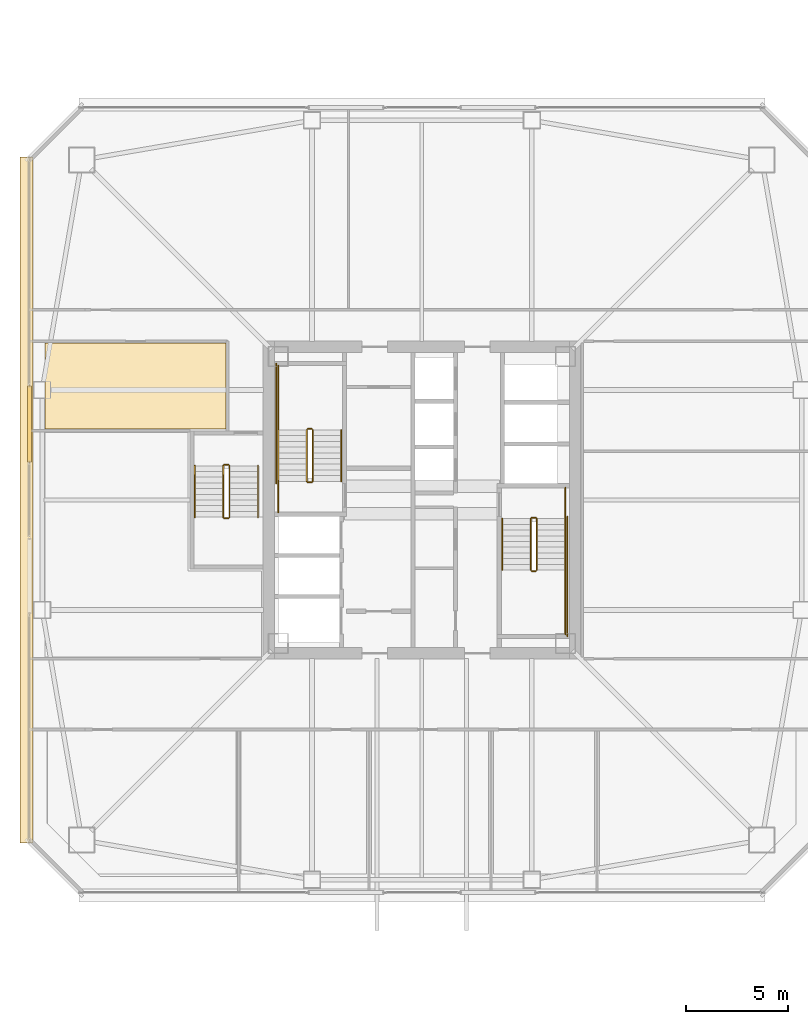
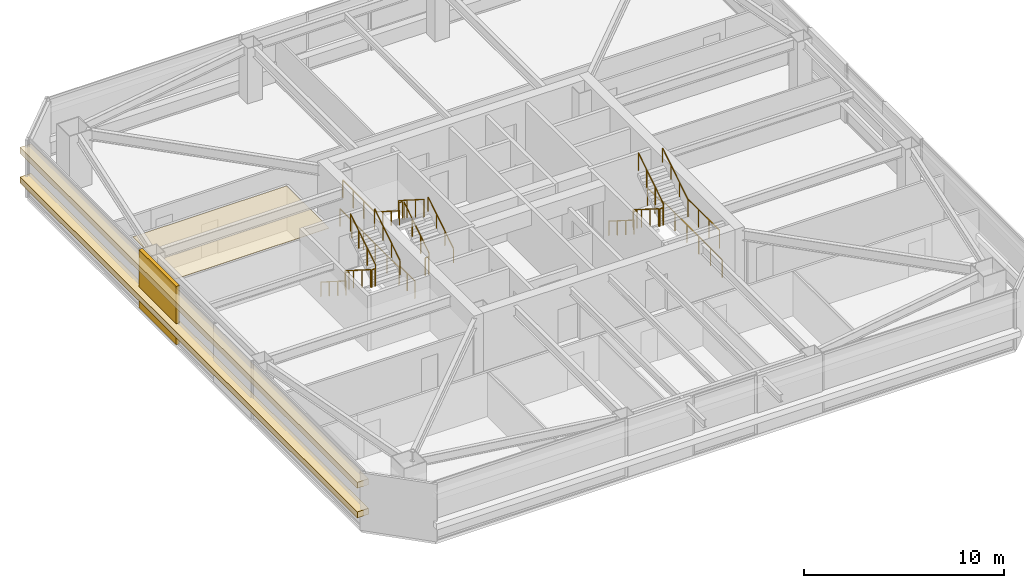
# One storey, part 38 of 42: 24 railings, 4 coverings.
"""IFC4 building model written with IfcOpenShell, lengths in metres."""

from ifc_helpers import new_model, si_unit, direction, frame, origin, origin_2d, place, context, subcontext, project, spatial, polyline, rectangle, outline, extrude, material, layer, layer_set, type_object, element, save


model = new_model("IFC4")

# Units and contexts
model_context = context("Model", 3, precision=1e-05, world=origin(), true_north=direction((0.0, 1.0)))
body_context = subcontext(model_context, "Body", "Model", "MODEL_VIEW")
ifc_project = project(units=[si_unit("LENGTHUNIT", "METRE"), si_unit("AREAUNIT", "SQUARE_METRE"), si_unit("VOLUMEUNIT", "CUBIC_METRE"), si_unit("PLANEANGLEUNIT", "RADIAN"), si_unit("MASSUNIT", "GRAM", prefix="KILO")], contexts=[model_context])

# Site, building, storey
site_placement = place(None, origin())
site = spatial("IfcSite", under=ifc_project, at=site_placement, CompositionType="ELEMENT")
building_placement = place(site_placement, origin())
building = spatial("IfcBuilding", under=site, at=building_placement, Name="Tashvorn Skyway Center", CompositionType="ELEMENT")
storey_placement = place(building_placement, frame((0.0, 0.0, 121.5)))
storey = spatial("IfcBuildingStorey", under=building, at=storey_placement, Name="L32", CompositionType="ELEMENT", Elevation=121.5)

# Coverings
ifc_material_1 = material(Name="Precast concrete C40/50", Category="concrete")
ifc_layer_1 = layer(ifc_material_1, 0.199951171875)
ifc_layer_set_1 = layer_set([ifc_layer_1], Name="Precast concrete C40/50")
covering_type_1 = type_object("IfcCoveringType", Name="COV-BRACE-CLAD", PredefinedType="CLADDING", material=ifc_layer_set_1)
covering_1_placement = place(storey_placement, frame((22.719970703125, 35.728759765625, 0.0), z_axis=(0.0, 0.0, 1.0), x_axis=(0.0, 1.0, 0.0)))
element("IfcCovering", 1, at=covering_1_placement, inside=storey, type_object=covering_type_1, Name="Tower 1 L32 West Unitised Curtain Wall Mega-Brace Cladding Band 2", PredefinedType="CLADDING", context=body_context, shape_type="SweptSolid", body=[
    extrude(rectangle(XDim=3.72900390625, YDim=0.199951171875, at=origin_2d()), origin(), (0.0, 0.0, 1.0), 3.550048828125),
])
ifc_material_2 = material(Name="Mineral-fibre acoustic ceiling tile on suspended grid")
ifc_layer_2 = layer(ifc_material_2, 0.02001953125)
ifc_layer_set_2 = layer_set([ifc_layer_2], Name="Mineral-fibre acoustic ceiling tile on suspended grid")
covering_type_2 = type_object("IfcCoveringType", Name="COV-CEIL-20", PredefinedType="CEILING", material=ifc_layer_set_2)
covering_2_placement = place(storey_placement, frame((0.0, 0.0, 2.702880859375)))
element("IfcCovering", 2, at=covering_2_placement, inside=storey, type_object=covering_type_2, Name="Tower 1 L32 Reading Lounge Acoustic Ceiling", PredefinedType="CEILING", context=body_context, shape_type="SweptSolid", body=[
    extrude(outline(polyline([(32.3701171875, 39.719970703125), (32.3701171875, 35.47998046875), (23.5, 35.47998046875), (23.5, 39.719970703125), (32.3701171875, 39.719970703125)])), origin(), (0.0, 0.0, 1.0), 0.02001953125),
])
ifc_material_3 = material(Name="Perforated ceramic-coated bronze aluminium solar screen", Category="aluminium")
ifc_layer_3 = layer(ifc_material_3, 0.85009765625)
ifc_layer_set_3 = layer_set([ifc_layer_3], Name="Perforated ceramic-coated bronze aluminium solar screen")
covering_type_3 = type_object("IfcCoveringType", Name="COV-SOLAR-BAND", PredefinedType="CLADDING", material=ifc_layer_set_3)
for number, where, z_axis, x_axis, name in (
    (3, (22.580078125, 32.0, 0.919921875), (0.0, 0.0, 1.0), (0.0, 1.0, 0.0), "L32 Perforated Ceramic-Metal Solar Screen Louvre Band West 1"),
    (4, (22.580078125, 32.0, 2.7197265625), (0.0, 0.0, 1.0), (0.0, 1.0, 0.0), "L32 Perforated Ceramic-Metal Solar Screen Louvre Band West 2"),
):
    element("IfcCovering", number, at=place(storey_placement, frame(where, z_axis=z_axis, x_axis=x_axis)), inside=storey, type_object=covering_type_3, Name=name, PredefinedType="CLADDING", context=body_context, shape_type="SweptSolid", body=[
        extrude(rectangle(XDim=33.679931640625, YDim=0.639892578125, at=origin_2d()), origin(), (0.0, 0.0, 1.0), 0.360107421875),
    ])

# Railings
ifc_material_4 = material(Name="Brushed stainless steel 316", Category="steel")
railing_type_1 = type_object("IfcRailingType", Name="RAIL-HAND-920", PredefinedType="HANDRAIL", material=ifc_material_4)
railing_1_placement = place(storey_placement, frame((38.050048828125, 32.919921875, 0.177490234375)))
element("IfcRailing", 5, at=railing_1_placement, inside=storey, type_object=railing_type_1, Name="L32 ST-T1-1 stair handrail 1", PredefinedType="HANDRAIL", context=body_context, shape_type="SweptSolid", body=[
    extrude(rectangle(XDim=0.048095703125, YDim=0.048095703125, at=origin_2d()), frame((0.0, 0.0, 0.8759765625), z_axis=(0.0, 0.84460694969, 0.535386869969), x_axis=(-1.0, 0.0, 0.0)), (0.0, 0.0, 1.0), 2.983642578125),
    extrude(rectangle(XDim=0.0419921875, YDim=0.0419921875, at=origin_2d()), origin(), (0.0, 0.0, 1.0), 0.851806640625),
    extrude(rectangle(XDim=0.0419921875, YDim=0.0419921875, at=origin_2d()), frame((0.0, 0.840087890625, 0.532470703125)), (0.0, 0.0, 1.0), 0.851806640625),
    extrude(rectangle(XDim=0.0419921875, YDim=0.0419921875, at=origin_2d()), frame((0.0, 1.679931640625, 1.06494140625)), (0.0, 0.0, 1.0), 0.851806640625),
    extrude(rectangle(XDim=0.0419921875, YDim=0.0419921875, at=origin_2d()), frame((0.0, 2.52001953125, 1.597412109375)), (0.0, 0.0, 1.0), 0.851806640625),
])
railing_2_placement = place(storey_placement, frame((34.949951171875, 35.43994140625, 1.952392578125)))
element("IfcRailing", 6, at=railing_2_placement, inside=storey, type_object=railing_type_1, Name="L32 ST-T1-1 stair handrail 2", PredefinedType="HANDRAIL", context=body_context, shape_type="SweptSolid", body=[
    extrude(rectangle(XDim=0.048095703125, YDim=0.048095703125, at=origin_2d()), frame((0.0, 0.0, 0.8759765625), z_axis=(0.0, -0.84456994832, 0.535445237532), x_axis=(1.0, 0.0, 0.0)), (0.0, 0.0, 1.0), 2.98388671875),
    extrude(rectangle(XDim=0.0419921875, YDim=0.0419921875, at=origin_2d()), origin(), (0.0, 0.0, 1.0), 0.851806640625),
    extrude(rectangle(XDim=0.0419921875, YDim=0.0419921875, at=origin_2d()), frame((0.0, -0.840087890625, 0.532470703125)), (0.0, 0.0, 1.0), 0.851806640625),
    extrude(rectangle(XDim=0.0419921875, YDim=0.0419921875, at=origin_2d()), frame((0.0, -1.679931640625, 1.065185546875)), (0.0, 0.0, 1.0), 0.851806640625),
    extrude(rectangle(XDim=0.0419921875, YDim=0.0419921875, at=origin_2d()), frame((0.0, -2.52001953125, 1.59765625)), (0.0, 0.0, 1.0), 0.851806640625),
])
railing_3_placement = place(storey_placement, frame((45.949951171875, 31.080078125, 0.177490234375)))
element("IfcRailing", 7, at=railing_3_placement, inside=storey, type_object=railing_type_1, Name="L32 ST-T1-2 stair handrail 1", PredefinedType="HANDRAIL", context=body_context, shape_type="SweptSolid", body=[
    extrude(rectangle(XDim=0.048095703125, YDim=0.048095703125, at=origin_2d()), frame((0.0, 0.0, 0.8759765625), z_axis=(0.0, -0.84460694969, 0.535386869969), x_axis=(1.0, 0.0, 0.0)), (0.0, 0.0, 1.0), 2.983642578125),
    extrude(rectangle(XDim=0.0419921875, YDim=0.0419921875, at=origin_2d()), origin(), (0.0, 0.0, 1.0), 0.851806640625),
    extrude(rectangle(XDim=0.0419921875, YDim=0.0419921875, at=origin_2d()), frame((0.0, -0.840087890625, 0.532470703125)), (0.0, 0.0, 1.0), 0.851806640625),
    extrude(rectangle(XDim=0.0419921875, YDim=0.0419921875, at=origin_2d()), frame((0.0, -1.679931640625, 1.06494140625)), (0.0, 0.0, 1.0), 0.851806640625),
    extrude(rectangle(XDim=0.0419921875, YDim=0.0419921875, at=origin_2d()), frame((0.0, -2.52001953125, 1.597412109375)), (0.0, 0.0, 1.0), 0.851806640625),
])
railing_4_placement = place(storey_placement, frame((49.050048828125, 28.56005859375, 1.952392578125)))
element("IfcRailing", 8, at=railing_4_placement, inside=storey, type_object=railing_type_1, Name="L32 ST-T1-2 stair handrail 2", PredefinedType="HANDRAIL", context=body_context, shape_type="SweptSolid", body=[
    extrude(rectangle(XDim=0.048095703125, YDim=0.048095703125, at=origin_2d()), frame((0.0, 0.0, 0.8759765625), z_axis=(0.0, 0.84456994832, 0.535445237532), x_axis=(-1.0, 0.0, 0.0)), (0.0, 0.0, 1.0), 2.98388671875),
    extrude(rectangle(XDim=0.0419921875, YDim=0.0419921875, at=origin_2d()), origin(), (0.0, 0.0, 1.0), 0.851806640625),
    extrude(rectangle(XDim=0.0419921875, YDim=0.0419921875, at=origin_2d()), frame((0.0, 0.840087890625, 0.532470703125)), (0.0, 0.0, 1.0), 0.851806640625),
    extrude(rectangle(XDim=0.0419921875, YDim=0.0419921875, at=origin_2d()), frame((0.0, 1.679931640625, 1.065185546875)), (0.0, 0.0, 1.0), 0.851806640625),
    extrude(rectangle(XDim=0.0419921875, YDim=0.0419921875, at=origin_2d()), frame((0.0, 2.52001953125, 1.59765625)), (0.0, 0.0, 1.0), 0.851806640625),
])
railing_5_placement = place(storey_placement, frame((30.85009765625, 33.679931640625, 0.177490234375)))
element("IfcRailing", 9, at=railing_5_placement, inside=storey, type_object=railing_type_1, Name="L32 ST-T1-3 stair handrail 1", PredefinedType="HANDRAIL", context=body_context, shape_type="SweptSolid", body=[
    extrude(rectangle(XDim=0.048095703125, YDim=0.048095703125, at=origin_2d()), frame((0.0, 0.0, 0.8759765625), z_axis=(0.0, -0.84460694969, 0.535386869969), x_axis=(1.0, 0.0, 0.0)), (0.0, 0.0, 1.0), 2.983642578125),
    extrude(rectangle(XDim=0.0419921875, YDim=0.0419921875, at=origin_2d()), origin(), (0.0, 0.0, 1.0), 0.851806640625),
    extrude(rectangle(XDim=0.0419921875, YDim=0.0419921875, at=origin_2d()), frame((0.0, -0.840087890625, 0.532470703125)), (0.0, 0.0, 1.0), 0.851806640625),
    extrude(rectangle(XDim=0.0419921875, YDim=0.0419921875, at=origin_2d()), frame((0.0, -1.679931640625, 1.06494140625)), (0.0, 0.0, 1.0), 0.851806640625),
    extrude(rectangle(XDim=0.0419921875, YDim=0.0419921875, at=origin_2d()), frame((0.0, -2.52001953125, 1.597412109375)), (0.0, 0.0, 1.0), 0.851806640625),
])
railing_6_placement = place(storey_placement, frame((33.949951171875, 31.159912109375, 1.952392578125)))
element("IfcRailing", 10, at=railing_6_placement, inside=storey, type_object=railing_type_1, Name="L32 ST-T1-3 stair handrail 2", PredefinedType="HANDRAIL", context=body_context, shape_type="SweptSolid", body=[
    extrude(rectangle(XDim=0.048095703125, YDim=0.048095703125, at=origin_2d()), frame((0.0, 0.0, 0.8759765625), z_axis=(0.0, 0.84456994832, 0.535445237532), x_axis=(-1.0, 0.0, 0.0)), (0.0, 0.0, 1.0), 2.98388671875),
    extrude(rectangle(XDim=0.0419921875, YDim=0.0419921875, at=origin_2d()), origin(), (0.0, 0.0, 1.0), 0.851806640625),
    extrude(rectangle(XDim=0.0419921875, YDim=0.0419921875, at=origin_2d()), frame((0.0, 0.840087890625, 0.532470703125)), (0.0, 0.0, 1.0), 0.851806640625),
    extrude(rectangle(XDim=0.0419921875, YDim=0.0419921875, at=origin_2d()), frame((0.0, 1.679931640625, 1.065185546875)), (0.0, 0.0, 1.0), 0.851806640625),
    extrude(rectangle(XDim=0.0419921875, YDim=0.0419921875, at=origin_2d()), frame((0.0, 2.52001953125, 1.59765625)), (0.0, 0.0, 1.0), 0.851806640625),
])
ifc_material_5 = material(Name="Painted galvanized steel S355", Category="steel")
railing_type_2 = type_object("IfcRailingType", Name="RAIL-STGUARD-1100", PredefinedType="GUARDRAIL", material=ifc_material_5)
railing_7_placement = place(storey_placement, frame((36.64990234375, 32.919921875, 0.177490234375)))
element("IfcRailing", 11, at=railing_7_placement, inside=storey, type_object=railing_type_2, Name="L32 ST-T1-1 stair guard 1", PredefinedType="GUARDRAIL", context=body_context, shape_type="SweptSolid", body=[
    extrude(rectangle(XDim=0.048095703125, YDim=0.048095703125, at=origin_2d()), frame((0.0, 0.0, 1.076171875), z_axis=(0.0, 0.84460694969, 0.535386869969), x_axis=(-1.0, 0.0, 0.0)), (0.0, 0.0, 1.0), 2.983642578125),
    extrude(rectangle(XDim=0.0419921875, YDim=0.0419921875, at=origin_2d()), origin(), (0.0, 0.0, 1.0), 1.052001953125),
    extrude(rectangle(XDim=0.0419921875, YDim=0.0419921875, at=origin_2d()), frame((0.0, 0.840087890625, 0.532470703125)), (0.0, 0.0, 1.0), 1.052001953125),
    extrude(rectangle(XDim=0.0419921875, YDim=0.0419921875, at=origin_2d()), frame((0.0, 1.679931640625, 1.06494140625)), (0.0, 0.0, 1.0), 1.052001953125),
    extrude(rectangle(XDim=0.0419921875, YDim=0.0419921875, at=origin_2d()), frame((0.0, 2.52001953125, 1.597412109375)), (0.0, 0.0, 1.0), 1.052001953125),
])
railing_8_placement = place(storey_placement, frame((36.60009765625, 35.489990234375, 1.77490234375)))
element("IfcRailing", 12, at=railing_8_placement, inside=storey, type_object=railing_type_2, Name="L32 ST-T1-1 stair guard 2", PredefinedType="GUARDRAIL", context=body_context, shape_type="SweptSolid", body=[
    extrude(rectangle(XDim=0.048095703125, YDim=0.048095703125, at=origin_2d()), frame((0.0, 0.0, 1.076171875), z_axis=(-1.0, 0.0, 0.0), x_axis=(0.0, -1.0, 0.0)), (0.0, 0.0, 1.0), 0.2001953125),
    extrude(rectangle(XDim=0.0419921875, YDim=0.0419921875, at=origin_2d()), origin(), (0.0, 0.0, 1.0), 1.052001953125),
    extrude(rectangle(XDim=0.0419921875, YDim=0.0419921875, at=origin_2d()), frame((-0.2001953125, 0.0, 0.0)), (0.0, 0.0, 1.0), 1.052001953125),
])
railing_9_placement = place(storey_placement, frame((34.949951171875, 35.43994140625, 1.77490234375)))
element("IfcRailing", 13, at=railing_9_placement, inside=storey, type_object=railing_type_2, Name="L32 ST-T1-1 stair guard 3", PredefinedType="GUARDRAIL", context=body_context, shape_type="SweptSolid", body=[
    extrude(rectangle(XDim=0.048095703125, YDim=0.048095703125, at=origin_2d()), frame((0.0, 0.0, 1.076171875), z_axis=(0.0, 1.0, 0.0), x_axis=(-1.0, 0.0, 0.0)), (0.0, 0.0, 1.0), 3.16015625),
    extrude(rectangle(XDim=0.0419921875, YDim=0.0419921875, at=origin_2d()), origin(), (0.0, 0.0, 1.0), 1.052001953125),
    extrude(rectangle(XDim=0.0419921875, YDim=0.0419921875, at=origin_2d()), frame((0.0, 1.053466796875, 0.0)), (0.0, 0.0, 1.0), 1.052001953125),
    extrude(rectangle(XDim=0.0419921875, YDim=0.0419921875, at=origin_2d()), frame((0.0, 2.106689453125, 0.0)), (0.0, 0.0, 1.0), 1.052001953125),
    extrude(rectangle(XDim=0.0419921875, YDim=0.0419921875, at=origin_2d()), frame((0.0, 3.16015625, 0.0)), (0.0, 0.0, 1.0), 1.052001953125),
])
railing_10_placement = place(storey_placement, frame((36.35009765625, 35.43994140625, 1.952392578125)))
element("IfcRailing", 14, at=railing_10_placement, inside=storey, type_object=railing_type_2, Name="L32 ST-T1-1 stair guard 4", PredefinedType="GUARDRAIL", context=body_context, shape_type="SweptSolid", body=[
    extrude(rectangle(XDim=0.048095703125, YDim=0.048095703125, at=origin_2d()), frame((0.0, 0.0, 1.076171875), z_axis=(0.0, -0.84456994832, 0.535445237532), x_axis=(1.0, 0.0, 0.0)), (0.0, 0.0, 1.0), 2.98388671875),
    extrude(rectangle(XDim=0.0419921875, YDim=0.0419921875, at=origin_2d()), origin(), (0.0, 0.0, 1.0), 1.052001953125),
    extrude(rectangle(XDim=0.0419921875, YDim=0.0419921875, at=origin_2d()), frame((0.0, -0.840087890625, 0.532470703125)), (0.0, 0.0, 1.0), 1.052001953125),
    extrude(rectangle(XDim=0.0419921875, YDim=0.0419921875, at=origin_2d()), frame((0.0, -1.679931640625, 1.065185546875)), (0.0, 0.0, 1.0), 1.052001953125),
    extrude(rectangle(XDim=0.0419921875, YDim=0.0419921875, at=origin_2d()), frame((0.0, -2.52001953125, 1.59765625)), (0.0, 0.0, 1.0), 1.052001953125),
])
railing_11_placement = place(storey_placement, frame((36.60009765625, 32.8701171875, 0.0)))
element("IfcRailing", 15, at=railing_11_placement, inside=storey, type_object=railing_type_2, Name="L32 ST-T1-1 stair guard 5", PredefinedType="GUARDRAIL", context=body_context, shape_type="SweptSolid", body=[
    extrude(rectangle(XDim=0.048095703125, YDim=0.048095703125, at=origin_2d()), frame((0.0, 0.0, 1.076171875), z_axis=(-1.0, 0.0, 0.0), x_axis=(0.0, -1.0, 0.0)), (0.0, 0.0, 1.0), 0.2001953125),
    extrude(rectangle(XDim=0.0419921875, YDim=0.0419921875, at=origin_2d()), origin(), (0.0, 0.0, 1.0), 1.052001953125),
    extrude(rectangle(XDim=0.0419921875, YDim=0.0419921875, at=origin_2d()), frame((-0.2001953125, 0.0, 0.0)), (0.0, 0.0, 1.0), 1.052001953125),
])
railing_12_placement = place(storey_placement, frame((34.949951171875, 31.39990234375, 0.0)))
element("IfcRailing", 16, at=railing_12_placement, inside=storey, type_object=railing_type_2, Name="L32 ST-T1-1 stair guard 6", PredefinedType="GUARDRAIL", context=body_context, shape_type="SweptSolid", body=[
    extrude(rectangle(XDim=0.048095703125, YDim=0.048095703125, at=origin_2d()), frame((0.0, 0.0, 1.076171875), z_axis=(0.0, 1.0, 0.0), x_axis=(-1.0, 0.0, 0.0)), (0.0, 0.0, 1.0), 1.52001953125),
    extrude(rectangle(XDim=0.0419921875, YDim=0.0419921875, at=origin_2d()), origin(), (0.0, 0.0, 1.0), 1.052001953125),
    extrude(rectangle(XDim=0.0419921875, YDim=0.0419921875, at=origin_2d()), frame((0.0, 0.760009765625, 0.0)), (0.0, 0.0, 1.0), 1.052001953125),
    extrude(rectangle(XDim=0.0419921875, YDim=0.0419921875, at=origin_2d()), frame((0.0, 1.52001953125, 0.0)), (0.0, 0.0, 1.0), 1.052001953125),
])
railing_13_placement = place(storey_placement, frame((34.85009765625, 32.820068359375, 0.0)))
element("IfcRailing", 17, at=railing_13_placement, inside=storey, type_object=railing_type_2, Name="L32 ST-T1-1 stair guard 7", PredefinedType="GUARDRAIL", context=body_context, shape_type="SweptSolid", body=[
    extrude(rectangle(XDim=0.048095703125, YDim=0.048095703125, at=origin_2d()), frame((0.0, 0.0, 1.076171875), z_axis=(0.0, 1.0, 0.0), x_axis=(-1.0, 0.0, 0.0)), (0.0, 0.0, 1.0), 5.8798828125),
    extrude(rectangle(XDim=0.0419921875, YDim=0.0419921875, at=origin_2d()), origin(), (0.0, 0.0, 1.0), 1.052001953125),
    extrude(rectangle(XDim=0.0419921875, YDim=0.0419921875, at=origin_2d()), frame((0.0, 1.176025390625, 0.0)), (0.0, 0.0, 1.0), 1.052001953125),
    extrude(rectangle(XDim=0.0419921875, YDim=0.0419921875, at=origin_2d()), frame((0.0, 2.35205078125, 0.0)), (0.0, 0.0, 1.0), 1.052001953125),
    extrude(rectangle(XDim=0.0419921875, YDim=0.0419921875, at=origin_2d()), frame((0.0, 3.52783203125, 0.0)), (0.0, 0.0, 1.0), 1.052001953125),
    extrude(rectangle(XDim=0.0419921875, YDim=0.0419921875, at=origin_2d()), frame((0.0, 4.703857421875, 0.0)), (0.0, 0.0, 1.0), 1.052001953125),
    extrude(rectangle(XDim=0.0419921875, YDim=0.0419921875, at=origin_2d()), frame((0.0, 5.8798828125, 0.0)), (0.0, 0.0, 1.0), 1.052001953125),
])
railing_14_placement = place(storey_placement, frame((47.35009765625, 31.080078125, 0.177490234375)))
element("IfcRailing", 18, at=railing_14_placement, inside=storey, type_object=railing_type_2, Name="L32 ST-T1-2 stair guard 1", PredefinedType="GUARDRAIL", context=body_context, shape_type="SweptSolid", body=[
    extrude(rectangle(XDim=0.048095703125, YDim=0.048095703125, at=origin_2d()), frame((0.0, 0.0, 1.076171875), z_axis=(0.0, -0.84460694969, 0.535386869969), x_axis=(1.0, 0.0, 0.0)), (0.0, 0.0, 1.0), 2.983642578125),
    extrude(rectangle(XDim=0.0419921875, YDim=0.0419921875, at=origin_2d()), origin(), (0.0, 0.0, 1.0), 1.052001953125),
    extrude(rectangle(XDim=0.0419921875, YDim=0.0419921875, at=origin_2d()), frame((0.0, -0.840087890625, 0.532470703125)), (0.0, 0.0, 1.0), 1.052001953125),
    extrude(rectangle(XDim=0.0419921875, YDim=0.0419921875, at=origin_2d()), frame((0.0, -1.679931640625, 1.06494140625)), (0.0, 0.0, 1.0), 1.052001953125),
    extrude(rectangle(XDim=0.0419921875, YDim=0.0419921875, at=origin_2d()), frame((0.0, -2.52001953125, 1.597412109375)), (0.0, 0.0, 1.0), 1.052001953125),
])
railing_15_placement = place(storey_placement, frame((47.39990234375, 28.510009765625, 1.77490234375)))
element("IfcRailing", 19, at=railing_15_placement, inside=storey, type_object=railing_type_2, Name="L32 ST-T1-2 stair guard 2", PredefinedType="GUARDRAIL", context=body_context, shape_type="SweptSolid", body=[
    extrude(rectangle(XDim=0.048095703125, YDim=0.048095703125, at=origin_2d()), frame((0.0, 0.0, 1.076171875), z_axis=(1.0, 0.0, 0.0), x_axis=(0.0, 1.0, 0.0)), (0.0, 0.0, 1.0), 0.2001953125),
    extrude(rectangle(XDim=0.0419921875, YDim=0.0419921875, at=origin_2d()), origin(), (0.0, 0.0, 1.0), 1.052001953125),
    extrude(rectangle(XDim=0.0419921875, YDim=0.0419921875, at=origin_2d()), frame((0.2001953125, 0.0, 0.0)), (0.0, 0.0, 1.0), 1.052001953125),
])
railing_16_placement = place(storey_placement, frame((49.050048828125, 28.56005859375, 1.77490234375)))
element("IfcRailing", 20, at=railing_16_placement, inside=storey, type_object=railing_type_2, Name="L32 ST-T1-2 stair guard 3", PredefinedType="GUARDRAIL", context=body_context, shape_type="SweptSolid", body=[
    extrude(rectangle(XDim=0.048095703125, YDim=0.048095703125, at=origin_2d()), frame((0.0, 0.0, 1.076171875), z_axis=(0.0, -1.0, 0.0), x_axis=(1.0, 0.0, 0.0)), (0.0, 0.0, 1.0), 3.16015625),
    extrude(rectangle(XDim=0.0419921875, YDim=0.0419921875, at=origin_2d()), origin(), (0.0, 0.0, 1.0), 1.052001953125),
    extrude(rectangle(XDim=0.0419921875, YDim=0.0419921875, at=origin_2d()), frame((0.0, -1.053466796875, 0.0)), (0.0, 0.0, 1.0), 1.052001953125),
    extrude(rectangle(XDim=0.0419921875, YDim=0.0419921875, at=origin_2d()), frame((0.0, -2.106689453125, 0.0)), (0.0, 0.0, 1.0), 1.052001953125),
    extrude(rectangle(XDim=0.0419921875, YDim=0.0419921875, at=origin_2d()), frame((0.0, -3.16015625, 0.0)), (0.0, 0.0, 1.0), 1.052001953125),
])
railing_17_placement = place(storey_placement, frame((47.64990234375, 28.56005859375, 1.952392578125)))
element("IfcRailing", 21, at=railing_17_placement, inside=storey, type_object=railing_type_2, Name="L32 ST-T1-2 stair guard 4", PredefinedType="GUARDRAIL", context=body_context, shape_type="SweptSolid", body=[
    extrude(rectangle(XDim=0.048095703125, YDim=0.048095703125, at=origin_2d()), frame((0.0, 0.0, 1.076171875), z_axis=(0.0, 0.84456994832, 0.535445237532), x_axis=(-1.0, 0.0, 0.0)), (0.0, 0.0, 1.0), 2.98388671875),
    extrude(rectangle(XDim=0.0419921875, YDim=0.0419921875, at=origin_2d()), origin(), (0.0, 0.0, 1.0), 1.052001953125),
    extrude(rectangle(XDim=0.0419921875, YDim=0.0419921875, at=origin_2d()), frame((0.0, 0.840087890625, 0.532470703125)), (0.0, 0.0, 1.0), 1.052001953125),
    extrude(rectangle(XDim=0.0419921875, YDim=0.0419921875, at=origin_2d()), frame((0.0, 1.679931640625, 1.065185546875)), (0.0, 0.0, 1.0), 1.052001953125),
    extrude(rectangle(XDim=0.0419921875, YDim=0.0419921875, at=origin_2d()), frame((0.0, 2.52001953125, 1.59765625)), (0.0, 0.0, 1.0), 1.052001953125),
])
railing_18_placement = place(storey_placement, frame((47.39990234375, 31.1298828125, 0.0)))
element("IfcRailing", 22, at=railing_18_placement, inside=storey, type_object=railing_type_2, Name="L32 ST-T1-2 stair guard 5", PredefinedType="GUARDRAIL", context=body_context, shape_type="SweptSolid", body=[
    extrude(rectangle(XDim=0.048095703125, YDim=0.048095703125, at=origin_2d()), frame((0.0, 0.0, 1.076171875), z_axis=(1.0, 0.0, 0.0), x_axis=(0.0, 1.0, 0.0)), (0.0, 0.0, 1.0), 0.2001953125),
    extrude(rectangle(XDim=0.0419921875, YDim=0.0419921875, at=origin_2d()), origin(), (0.0, 0.0, 1.0), 1.052001953125),
    extrude(rectangle(XDim=0.0419921875, YDim=0.0419921875, at=origin_2d()), frame((0.2001953125, 0.0, 0.0)), (0.0, 0.0, 1.0), 1.052001953125),
])
railing_19_placement = place(storey_placement, frame((49.050048828125, 32.60009765625, 0.0)))
element("IfcRailing", 23, at=railing_19_placement, inside=storey, type_object=railing_type_2, Name="L32 ST-T1-2 stair guard 6", PredefinedType="GUARDRAIL", context=body_context, shape_type="SweptSolid", body=[
    extrude(rectangle(XDim=0.048095703125, YDim=0.048095703125, at=origin_2d()), frame((0.0, 0.0, 1.076171875), z_axis=(0.0, -1.0, 0.0), x_axis=(1.0, 0.0, 0.0)), (0.0, 0.0, 1.0), 1.52001953125),
    extrude(rectangle(XDim=0.0419921875, YDim=0.0419921875, at=origin_2d()), origin(), (0.0, 0.0, 1.0), 1.052001953125),
    extrude(rectangle(XDim=0.0419921875, YDim=0.0419921875, at=origin_2d()), frame((0.0, -0.760009765625, 0.0)), (0.0, 0.0, 1.0), 1.052001953125),
    extrude(rectangle(XDim=0.0419921875, YDim=0.0419921875, at=origin_2d()), frame((0.0, -1.52001953125, 0.0)), (0.0, 0.0, 1.0), 1.052001953125),
])
railing_20_placement = place(storey_placement, frame((49.14990234375, 31.179931640625, 0.0)))
element("IfcRailing", 24, at=railing_20_placement, inside=storey, type_object=railing_type_2, Name="L32 ST-T1-2 stair guard 7", PredefinedType="GUARDRAIL", context=body_context, shape_type="SweptSolid", body=[
    extrude(rectangle(XDim=0.048095703125, YDim=0.048095703125, at=origin_2d()), frame((0.0, 0.0, 1.076171875), z_axis=(0.0, -1.0, 0.0), x_axis=(1.0, 0.0, 0.0)), (0.0, 0.0, 1.0), 5.8798828125),
    extrude(rectangle(XDim=0.0419921875, YDim=0.0419921875, at=origin_2d()), origin(), (0.0, 0.0, 1.0), 1.052001953125),
    extrude(rectangle(XDim=0.0419921875, YDim=0.0419921875, at=origin_2d()), frame((0.0, -1.176025390625, 0.0)), (0.0, 0.0, 1.0), 1.052001953125),
    extrude(rectangle(XDim=0.0419921875, YDim=0.0419921875, at=origin_2d()), frame((0.0, -2.35205078125, 0.0)), (0.0, 0.0, 1.0), 1.052001953125),
    extrude(rectangle(XDim=0.0419921875, YDim=0.0419921875, at=origin_2d()), frame((0.0, -3.52783203125, 0.0)), (0.0, 0.0, 1.0), 1.052001953125),
    extrude(rectangle(XDim=0.0419921875, YDim=0.0419921875, at=origin_2d()), frame((0.0, -4.703857421875, 0.0)), (0.0, 0.0, 1.0), 1.052001953125),
    extrude(rectangle(XDim=0.0419921875, YDim=0.0419921875, at=origin_2d()), frame((0.0, -5.8798828125, 0.0)), (0.0, 0.0, 1.0), 1.052001953125),
])
railing_21_placement = place(storey_placement, frame((32.25, 33.679931640625, 0.177490234375)))
element("IfcRailing", 25, at=railing_21_placement, inside=storey, type_object=railing_type_2, Name="L32 ST-T1-3 stair guard 1", PredefinedType="GUARDRAIL", context=body_context, shape_type="SweptSolid", body=[
    extrude(rectangle(XDim=0.048095703125, YDim=0.048095703125, at=origin_2d()), frame((0.0, 0.0, 1.076171875), z_axis=(0.0, -0.84460694969, 0.535386869969), x_axis=(1.0, 0.0, 0.0)), (0.0, 0.0, 1.0), 2.983642578125),
    extrude(rectangle(XDim=0.0419921875, YDim=0.0419921875, at=origin_2d()), origin(), (0.0, 0.0, 1.0), 1.052001953125),
    extrude(rectangle(XDim=0.0419921875, YDim=0.0419921875, at=origin_2d()), frame((0.0, -0.840087890625, 0.532470703125)), (0.0, 0.0, 1.0), 1.052001953125),
    extrude(rectangle(XDim=0.0419921875, YDim=0.0419921875, at=origin_2d()), frame((0.0, -1.679931640625, 1.06494140625)), (0.0, 0.0, 1.0), 1.052001953125),
    extrude(rectangle(XDim=0.0419921875, YDim=0.0419921875, at=origin_2d()), frame((0.0, -2.52001953125, 1.597412109375)), (0.0, 0.0, 1.0), 1.052001953125),
])
railing_22_placement = place(storey_placement, frame((32.300048828125, 31.110107421875, 1.77490234375)))
element("IfcRailing", 26, at=railing_22_placement, inside=storey, type_object=railing_type_2, Name="L32 ST-T1-3 stair guard 2", PredefinedType="GUARDRAIL", context=body_context, shape_type="SweptSolid", body=[
    extrude(rectangle(XDim=0.048095703125, YDim=0.048095703125, at=origin_2d()), frame((0.0, 0.0, 1.076171875), z_axis=(1.0, 0.0, 0.0), x_axis=(0.0, 1.0, 0.0)), (0.0, 0.0, 1.0), 0.199951171875),
    extrude(rectangle(XDim=0.0419921875, YDim=0.0419921875, at=origin_2d()), origin(), (0.0, 0.0, 1.0), 1.052001953125),
    extrude(rectangle(XDim=0.0419921875, YDim=0.0419921875, at=origin_2d()), frame((0.199951171875, 0.0, 0.0)), (0.0, 0.0, 1.0), 1.052001953125),
])
railing_23_placement = place(storey_placement, frame((32.550048828125, 31.159912109375, 1.952392578125)))
element("IfcRailing", 27, at=railing_23_placement, inside=storey, type_object=railing_type_2, Name="L32 ST-T1-3 stair guard 3", PredefinedType="GUARDRAIL", context=body_context, shape_type="SweptSolid", body=[
    extrude(rectangle(XDim=0.048095703125, YDim=0.048095703125, at=origin_2d()), frame((0.0, 0.0, 1.076171875), z_axis=(0.0, 0.84456994832, 0.535445237532), x_axis=(-1.0, 0.0, 0.0)), (0.0, 0.0, 1.0), 2.98388671875),
    extrude(rectangle(XDim=0.0419921875, YDim=0.0419921875, at=origin_2d()), origin(), (0.0, 0.0, 1.0), 1.052001953125),
    extrude(rectangle(XDim=0.0419921875, YDim=0.0419921875, at=origin_2d()), frame((0.0, 0.840087890625, 0.532470703125)), (0.0, 0.0, 1.0), 1.052001953125),
    extrude(rectangle(XDim=0.0419921875, YDim=0.0419921875, at=origin_2d()), frame((0.0, 1.679931640625, 1.065185546875)), (0.0, 0.0, 1.0), 1.052001953125),
    extrude(rectangle(XDim=0.0419921875, YDim=0.0419921875, at=origin_2d()), frame((0.0, 2.52001953125, 1.59765625)), (0.0, 0.0, 1.0), 1.052001953125),
])
railing_24_placement = place(storey_placement, frame((32.300048828125, 33.72998046875, 0.0)))
element("IfcRailing", 28, at=railing_24_placement, inside=storey, type_object=railing_type_2, Name="L32 ST-T1-3 stair guard 4", PredefinedType="GUARDRAIL", context=body_context, shape_type="SweptSolid", body=[
    extrude(rectangle(XDim=0.048095703125, YDim=0.048095703125, at=origin_2d()), frame((0.0, 0.0, 1.076171875), z_axis=(1.0, 0.0, 0.0), x_axis=(0.0, 1.0, 0.0)), (0.0, 0.0, 1.0), 0.199951171875),
    extrude(rectangle(XDim=0.0419921875, YDim=0.0419921875, at=origin_2d()), origin(), (0.0, 0.0, 1.0), 1.052001953125),
    extrude(rectangle(XDim=0.0419921875, YDim=0.0419921875, at=origin_2d()), frame((0.199951171875, 0.0, 0.0)), (0.0, 0.0, 1.0), 1.052001953125),
])

save(model, "model.ifc")
